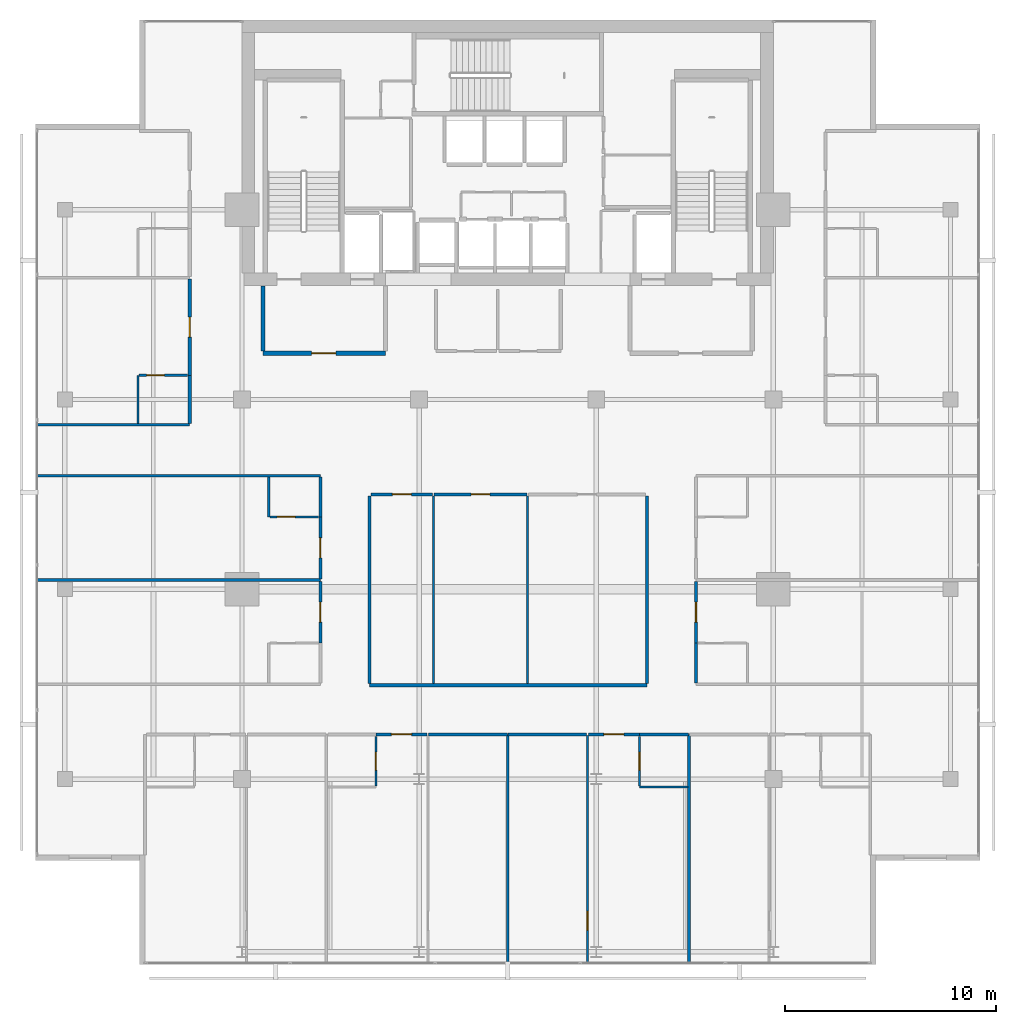
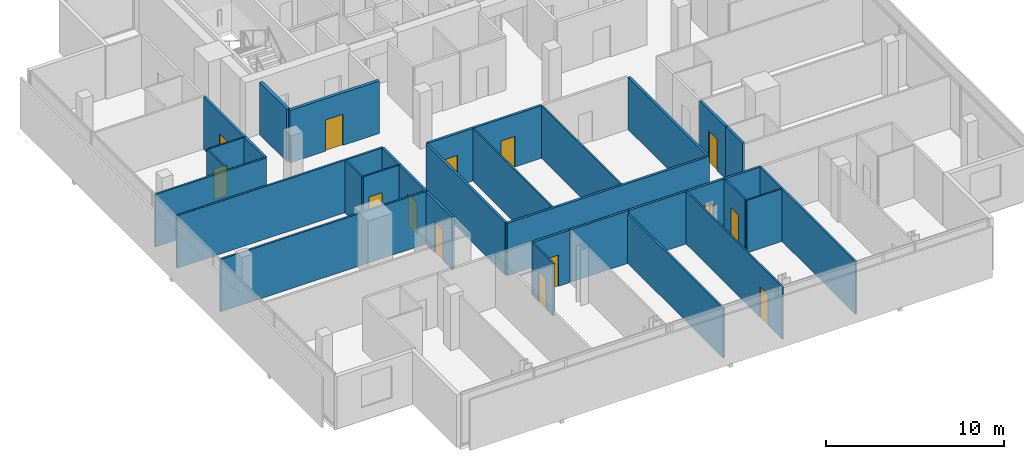
# One storey, part 20 of 26: 34 walls, 14 doors, 14 openings.
"""IFC4 building model written with IfcOpenShell, lengths in metres."""

from ifc_helpers import new_model, si_unit, direction, frame, frame_2d, origin, place, context, subcontext, project, spatial, rectangle, extrude, material, layer, layer_set, type_object, element, fill, save


model = new_model("IFC4")

# Units and contexts
model_context = context("Model", 3, precision=1e-05, world=origin(), true_north=direction((0.0, 1.0)))
body_context = subcontext(model_context, "Body", "Model", "MODEL_VIEW")
ifc_project = project(units=[si_unit("LENGTHUNIT", "METRE"), si_unit("AREAUNIT", "SQUARE_METRE"), si_unit("VOLUMEUNIT", "CUBIC_METRE"), si_unit("PLANEANGLEUNIT", "RADIAN"), si_unit("MASSUNIT", "GRAM", prefix="KILO")], contexts=[model_context])

# Site, building, storey
site_placement = place(None, origin())
site = spatial("IfcSite", under=ifc_project, at=site_placement, CompositionType="ELEMENT")
building_placement = place(site_placement, origin())
building = spatial("IfcBuilding", under=site, at=building_placement, Name="Maruvema Waterfront Hotel and Observation Tower", CompositionType="ELEMENT")
storey_placement = place(building_placement, frame((0.0, 0.0, 254.800048828125)))
storey = spatial("IfcBuildingStorey", under=building, at=storey_placement, Name="L62", CompositionType="ELEMENT", Elevation=254.800048828125)

# Walls
ifc_material_1 = material(Name="Twin-stud acoustic gypsum drywall", Category="gypsum")
ifc_layer_1 = layer(ifc_material_1, 0.14990234375, Name="Acoustic Corridor and Suite Demising Wall 150 mm")
ifc_layer_set_1 = layer_set([ifc_layer_1], Name="Twin-stud acoustic gypsum drywall")
wall_type_1 = type_object("IfcWallType", Name="Acoustic Corridor and Suite Demising Wall 150 mm", PredefinedType="PARTITIONING", material=ifc_layer_set_1)
wall_1_placement = place(storey_placement, frame((31.25, 22.449951171875, 0.0), z_axis=(0.0, 0.0, 1.0), x_axis=(1.0, 0.0, 0.0)))
element("IfcWall", 1, at=wall_1_placement, inside=storey, type_object=wall_type_1, Name="L62 L62-Z3M Back Wall 031", PredefinedType="PARTITIONING", context=body_context, shape_type="SweptSolid", body=[
    extrude(rectangle(XDim=13.14990234375, YDim=0.14990234375, at=frame_2d((6.574951171875, 0.0))), origin(), (0.0, 0.0, 1.0), 3.60986328125),
])
for number, where, z_axis, x_axis, name in (
    (2, (31.25, 22.530029296875, 0.0), (0.0, 0.0, 1.0), (0.0, 1.0, 0.0), "L62 L62-Z3M West Wall 032"),
    (3, (44.39990234375, 22.530029296875, 0.0), (0.0, 0.0, 1.0), (0.0, 1.0, 0.0), "L62 L62-Z3M East Wall 033"),
):
    element("IfcWall", number, at=place(storey_placement, frame(where, z_axis=z_axis, x_axis=x_axis)), inside=storey, type_object=wall_type_1, Name=name, PredefinedType="PARTITIONING", context=body_context, shape_type="SweptSolid", body=[
        extrude(rectangle(XDim=8.889892578125, YDim=0.14990234375, at=frame_2d((4.44482421875, 0.0))), origin(), (0.0, 0.0, 1.0), 3.60986328125),
    ])

# Wall, opening, door
wall_2_placement = place(storey_placement, frame((31.31005859375, 31.5, 0.0), z_axis=(0.0, 0.0, 1.0), x_axis=(1.0, 0.0, 0.0)))
wall_2 = element("IfcWall", 4, at=wall_2_placement, inside=storey, type_object=wall_type_1, Name="L62 L62-Z3M Front 1 034", PredefinedType="PARTITIONING", context=body_context, shape_type="SweptSolid", body=[
    extrude(rectangle(XDim=2.934326171875, YDim=0.14990234375, at=frame_2d((1.46728515625, 0.0))), origin(), (0.0, 0.0, 1.0), 3.60986328125),
])
opening_1_placement = place(wall_2_placement, frame((1.017333984375, 0.0, 0.0)))
opening_1 = element("IfcOpeningElement", 5, at=opening_1_placement, cuts=wall_2, Name="Opening DR-090", PredefinedType="OPENING", context=body_context, shape_type="SweptSolid", body=[
    extrude(rectangle(XDim=0.89990234375, YDim=2.10009765625, at=frame_2d((0.449951171875, 1.050048828125))), frame((0.0, 0.0849609375, 0.0), z_axis=(0.0, -1.0, 0.0), x_axis=(1.0, 0.0, 0.0)), (0.0, 0.0, 1.0), 0.169921875),
])
ifc_material_2 = material(Name="Solid-core lacquered timber leaf", Category="wood")
door_type_1 = type_object("IfcDoorType", Name="Accessible Toilet and Room Door 900x2100 mm", OperationType="NOTDEFINED", PredefinedType="DOOR", material=ifc_material_2)
door_1_placement = place(opening_1_placement, origin())
door_1 = element("IfcDoor", 6, at=door_1_placement, inside=storey, type_object=door_type_1, Name="L62 Sky Study Office 1 Door", OperationType="SINGLE_SWING_RIGHT", OverallHeight=2.10009765625, OverallWidth=0.89990234375, PredefinedType="DOOR", context=body_context, shape_type="SweptSolid", body=[
    extrude(rectangle(XDim=0.89990234375, YDim=2.10009765625, at=frame_2d((0.449951171875, 1.050048828125))), frame((0.0, 0.02490234375, 0.0), z_axis=(0.0, -1.0, 0.0), x_axis=(1.0, 0.0, 0.0)), (0.0, 0.0, 1.0), 0.050048828125),
])
fill(opening_1, door_1)

wall_3_placement = place(storey_placement, frame((34.304443359375, 31.5, 0.0), z_axis=(0.0, 0.0, 1.0), x_axis=(1.0, 0.0, 0.0)))
wall_3 = element("IfcWall", 7, at=wall_3_placement, inside=storey, type_object=wall_type_1, Name="L62 L62-Z3M Front 2 036", PredefinedType="PARTITIONING", context=body_context, shape_type="SweptSolid", body=[
    extrude(rectangle(XDim=4.4111328125, YDim=0.14990234375, at=frame_2d((2.20556640625, 0.0))), origin(), (0.0, 0.0, 1.0), 3.60986328125),
])
opening_2_placement = place(wall_3_placement, frame((1.755615234375, 0.0, 0.0)))
opening_2 = element("IfcOpeningElement", 8, at=opening_2_placement, cuts=wall_3, Name="Opening DR-090", PredefinedType="OPENING", context=body_context, shape_type="SweptSolid", body=[
    extrude(rectangle(XDim=0.89990234375, YDim=2.10009765625, at=frame_2d((0.449951171875, 1.050048828125))), frame((0.0, 0.0849609375, 0.0), z_axis=(0.0, -1.0, 0.0), x_axis=(1.0, 0.0, 0.0)), (0.0, 0.0, 1.0), 0.169921875),
])
door_2_placement = place(opening_2_placement, origin())
door_2 = element("IfcDoor", 9, at=door_2_placement, inside=storey, type_object=door_type_1, Name="L62 Sky Study Office 2 Door", OperationType="SINGLE_SWING_LEFT", OverallHeight=2.10009765625, OverallWidth=0.89990234375, PredefinedType="DOOR", context=body_context, shape_type="SweptSolid", body=[
    extrude(rectangle(XDim=0.89990234375, YDim=2.10009765625, at=frame_2d((0.449951171875, 1.050048828125))), frame((0.0, 0.02490234375, 0.0), z_axis=(0.0, -1.0, 0.0), x_axis=(1.0, 0.0, 0.0)), (0.0, 0.0, 1.0), 0.050048828125),
])
fill(opening_2, door_2)

wall_4_placement = place(storey_placement, frame((31.550048828125, 20.1201171875, 0.0), z_axis=(0.0, 0.0, 1.0), x_axis=(1.0, 0.0, 0.0)))
wall_4 = element("IfcWall", 10, at=wall_4_placement, inside=storey, type_object=wall_type_1, Name="L62 Unit L62-S2 Corridor Wall 051", PredefinedType="PARTITIONING", context=body_context, shape_type="SweptSolid", body=[
    extrude(rectangle(XDim=2.426025390625, YDim=0.14990234375, at=frame_2d((1.212890625, 0.0))), origin(), (0.0, 0.0, 1.0), 3.60986328125),
])
opening_3_placement = place(wall_4_placement, frame((0.738037109375, 0.0, 0.0)))
opening_3 = element("IfcOpeningElement", 11, at=opening_3_placement, cuts=wall_4, Name="Opening DR-095", PredefinedType="OPENING", context=body_context, shape_type="SweptSolid", body=[
    extrude(rectangle(XDim=0.949951171875, YDim=2.14990234375, at=frame_2d((0.47509765625, 1.074951171875))), frame((0.0, 0.0849609375, 0.0), z_axis=(0.0, -1.0, 0.0), x_axis=(1.0, 0.0, 0.0)), (0.0, 0.0, 1.0), 0.169921875),
])
ifc_material_3 = material(Name="Acoustic solid-core hardwood timber leaf", Category="wood")
door_type_2 = type_object("IfcDoorType", Name="Guestroom Entrance Fire Door 950x2150 mm", OperationType="NOTDEFINED", PredefinedType="DOOR", material=ifc_material_3)
door_3_placement = place(opening_3_placement, frame((0.949951171875, 0.0, 0.0), z_axis=(0.0, 0.0, 1.0), x_axis=(-1.0, 0.0, 0.0)))
door_3 = element("IfcDoor", 12, at=door_3_placement, inside=storey, type_object=door_type_2, Name="L62 Unit L62-S2 Entrance Door", OperationType="SINGLE_SWING_LEFT", OverallHeight=2.14990234375, OverallWidth=0.949951171875, PredefinedType="DOOR", context=body_context, shape_type="SweptSolid", body=[
    extrude(rectangle(XDim=0.949951171875, YDim=2.14990234375, at=frame_2d((0.47509765625, 1.074951171875))), frame((0.0, 0.02490234375, 0.0), z_axis=(0.0, -1.0, 0.0), x_axis=(1.0, 0.0, 0.0)), (0.0, 0.0, 1.0), 0.050048828125),
])
fill(opening_3, door_3)

# Walls
wall_5_placement = place(storey_placement, frame((34.055908203125, 20.1201171875, 0.0), z_axis=(0.0, 0.0, 1.0), x_axis=(1.0, 0.0, 0.0)))
element("IfcWall", 13, at=wall_5_placement, inside=storey, type_object=wall_type_1, Name="L62 Bedroom L62-S2 Back Wall 052", PredefinedType="PARTITIONING", context=body_context, shape_type="SweptSolid", body=[
    extrude(rectangle(XDim=3.72412109375, YDim=0.14990234375, at=frame_2d((1.862060546875, 0.0))), origin(), (0.0, 0.0, 1.0), 3.60986328125),
])
wall_6_placement = place(storey_placement, frame((44.050048828125, 20.1201171875, 0.0), z_axis=(0.0, 0.0, 1.0), x_axis=(1.0, 0.0, 0.0)))
element("IfcWall", 14, at=wall_6_placement, inside=storey, type_object=wall_type_1, Name="L62 Bath L62-S3 Back Wall 055", PredefinedType="PARTITIONING", context=body_context, shape_type="SweptSolid", body=[
    extrude(rectangle(XDim=2.329833984375, YDim=0.14990234375, at=frame_2d((1.1650390625, 0.0))), origin(), (0.0, 0.0, 1.0), 3.60986328125),
])
wall_7_placement = place(storey_placement, frame((37.820068359375, 20.1201171875, 0.0), z_axis=(0.0, 0.0, 1.0), x_axis=(1.0, 0.0, 0.0)))
element("IfcWall", 15, at=wall_7_placement, inside=storey, type_object=wall_type_1, Name="L62 Bedroom L62-S3 Back Wall 058", PredefinedType="PARTITIONING", context=body_context, shape_type="SweptSolid", body=[
    extrude(rectangle(XDim=3.723876953125, YDim=0.14990234375, at=frame_2d((1.86181640625, 0.0))), origin(), (0.0, 0.0, 1.0), 3.60986328125),
])

# Wall, opening, door
wall_8_placement = place(storey_placement, frame((41.6240234375, 20.1201171875, 0.0), z_axis=(0.0, 0.0, 1.0), x_axis=(1.0, 0.0, 0.0)))
wall_8 = element("IfcWall", 16, at=wall_8_placement, inside=storey, type_object=wall_type_1, Name="L62 Unit L62-S3 Corridor Wall 059", PredefinedType="PARTITIONING", context=body_context, shape_type="SweptSolid", body=[
    extrude(rectangle(XDim=2.426025390625, YDim=0.14990234375, at=frame_2d((1.212890625, 0.0))), origin(), (0.0, 0.0, 1.0), 3.60986328125),
])
opening_4_placement = place(wall_8_placement, frame((0.738037109375, 0.0, 0.0)))
opening_4 = element("IfcOpeningElement", 17, at=opening_4_placement, cuts=wall_8, Name="Opening DR-095", PredefinedType="OPENING", context=body_context, shape_type="SweptSolid", body=[
    extrude(rectangle(XDim=0.949951171875, YDim=2.14990234375, at=frame_2d((0.47509765625, 1.074951171875))), frame((0.0, 0.0849609375, 0.0), z_axis=(0.0, -1.0, 0.0), x_axis=(1.0, 0.0, 0.0)), (0.0, 0.0, 1.0), 0.169921875),
])
door_4_placement = place(opening_4_placement, frame((0.949951171875, 0.0, 0.0), z_axis=(0.0, 0.0, 1.0), x_axis=(-1.0, 0.0, 0.0)))
door_4 = element("IfcDoor", 18, at=door_4_placement, inside=storey, type_object=door_type_2, Name="L62 Unit L62-S3 Entrance Door", OperationType="SINGLE_SWING_RIGHT", OverallHeight=2.14990234375, OverallWidth=0.949951171875, PredefinedType="DOOR", context=body_context, shape_type="SweptSolid", body=[
    extrude(rectangle(XDim=0.949951171875, YDim=2.14990234375, at=frame_2d((0.47509765625, 1.074951171875))), frame((0.0, 0.02490234375, 0.0), z_axis=(0.0, -1.0, 0.0), x_axis=(1.0, 0.0, 0.0)), (0.0, 0.0, 1.0), 0.050048828125),
])
fill(opening_4, door_4)

wall_9_placement = place(storey_placement, frame((28.919921875, 24.449951171875, 0.0), z_axis=(0.0, 0.0, 1.0), x_axis=(0.0, 1.0, 0.0)))
wall_9 = element("IfcWall", 19, at=wall_9_placement, inside=storey, type_object=wall_type_1, Name="L62 Room L62-W1 Corridor Wall 073", PredefinedType="PARTITIONING", context=body_context, shape_type="SweptSolid", body=[
    extrude(rectangle(XDim=2.929931640625, YDim=0.14990234375, at=frame_2d((1.46484375, 0.0))), origin(), (0.0, 0.0, 1.0), 3.60986328125),
])
opening_5_placement = place(wall_9_placement, frame((0.989990234375, 0.0, 0.0)))
opening_5 = element("IfcOpeningElement", 20, at=opening_5_placement, cuts=wall_9, Name="Opening DR-095", PredefinedType="OPENING", context=body_context, shape_type="SweptSolid", body=[
    extrude(rectangle(XDim=0.949951171875, YDim=2.14990234375, at=frame_2d((0.47509765625, 1.074951171875))), frame((0.0, 0.0849609375, 0.0), z_axis=(0.0, -1.0, 0.0), x_axis=(1.0, 0.0, 0.0)), (0.0, 0.0, 1.0), 0.169921875),
])
door_5_placement = place(opening_5_placement, origin())
door_5 = element("IfcDoor", 21, at=door_5_placement, inside=storey, type_object=door_type_2, Name="L62 Room L62-W1 Entrance Door", OperationType="SINGLE_SWING_RIGHT", OverallHeight=2.14990234375, OverallWidth=0.949951171875, PredefinedType="DOOR", context=body_context, shape_type="SweptSolid", body=[
    extrude(rectangle(XDim=0.949951171875, YDim=2.14990234375, at=frame_2d((0.47509765625, 1.074951171875))), frame((0.0, 0.02490234375, 0.0), z_axis=(0.0, -1.0, 0.0), x_axis=(1.0, 0.0, 0.0)), (0.0, 0.0, 1.0), 0.050048828125),
])
fill(opening_5, door_5)

# Wall
wall_10_placement = place(storey_placement, frame((46.72998046875, 22.56005859375, 0.0), z_axis=(0.0, 0.0, 1.0), x_axis=(0.0, 1.0, 0.0)))
element("IfcWall", 22, at=wall_10_placement, inside=storey, type_object=wall_type_1, Name="L62 Bath L62-E1 Wall 076", PredefinedType="PARTITIONING", context=body_context, shape_type="SweptSolid", body=[
    extrude(rectangle(XDim=1.889892578125, YDim=0.14990234375, at=frame_2d((0.94482421875, 0.0))), origin(), (0.0, 0.0, 1.0), 3.60986328125),
])

# Wall, opening, door
wall_11_placement = place(storey_placement, frame((46.72998046875, 24.449951171875, 0.0), z_axis=(0.0, 0.0, 1.0), x_axis=(0.0, 1.0, 0.0)))
wall_11 = element("IfcWall", 23, at=wall_11_placement, inside=storey, type_object=wall_type_1, Name="L62 Room L62-E1 Corridor Wall 077", PredefinedType="PARTITIONING", context=body_context, shape_type="SweptSolid", body=[
    extrude(rectangle(XDim=2.929931640625, YDim=0.14990234375, at=frame_2d((1.46484375, 0.0))), origin(), (0.0, 0.0, 1.0), 3.60986328125),
])
opening_6_placement = place(wall_11_placement, frame((0.989990234375, 0.0, 0.0)))
opening_6 = element("IfcOpeningElement", 24, at=opening_6_placement, cuts=wall_11, Name="Opening DR-095", PredefinedType="OPENING", context=body_context, shape_type="SweptSolid", body=[
    extrude(rectangle(XDim=0.949951171875, YDim=2.14990234375, at=frame_2d((0.47509765625, 1.074951171875))), frame((0.0, 0.0849609375, 0.0), z_axis=(0.0, -1.0, 0.0), x_axis=(1.0, 0.0, 0.0)), (0.0, 0.0, 1.0), 0.169921875),
])
door_6_placement = place(opening_6_placement, frame((0.949951171875, 0.0, 0.0), z_axis=(0.0, 0.0, 1.0), x_axis=(-1.0, 0.0, 0.0)))
door_6 = element("IfcDoor", 25, at=door_6_placement, inside=storey, type_object=door_type_2, Name="L62 Room L62-E1 Entrance Door", OperationType="SINGLE_SWING_RIGHT", OverallHeight=2.14990234375, OverallWidth=0.949951171875, PredefinedType="DOOR", context=body_context, shape_type="SweptSolid", body=[
    extrude(rectangle(XDim=0.949951171875, YDim=2.14990234375, at=frame_2d((0.47509765625, 1.074951171875))), frame((0.0, 0.02490234375, 0.0), z_axis=(0.0, -1.0, 0.0), x_axis=(1.0, 0.0, 0.0)), (0.0, 0.0, 1.0), 0.050048828125),
])
fill(opening_6, door_6)

wall_12_placement = place(storey_placement, frame((28.919921875, 27.5, 0.0), z_axis=(0.0, 0.0, 1.0), x_axis=(0.0, 1.0, 0.0)))
wall_12 = element("IfcWall", 26, at=wall_12_placement, inside=storey, type_object=wall_type_1, Name="L62 Room L62-W2 Corridor Wall 082", PredefinedType="PARTITIONING", context=body_context, shape_type="SweptSolid", body=[
    extrude(rectangle(XDim=2.929931640625, YDim=0.14990234375, at=frame_2d((1.46484375, 0.0))), origin(), (0.0, 0.0, 1.0), 3.60986328125),
])
opening_7_placement = place(wall_12_placement, frame((0.989990234375, 0.0, 0.0)))
opening_7 = element("IfcOpeningElement", 27, at=opening_7_placement, cuts=wall_12, Name="Opening DR-095", PredefinedType="OPENING", context=body_context, shape_type="SweptSolid", body=[
    extrude(rectangle(XDim=0.949951171875, YDim=2.14990234375, at=frame_2d((0.47509765625, 1.074951171875))), frame((0.0, 0.0849609375, 0.0), z_axis=(0.0, -1.0, 0.0), x_axis=(1.0, 0.0, 0.0)), (0.0, 0.0, 1.0), 0.169921875),
])
door_7_placement = place(opening_7_placement, origin())
door_7 = element("IfcDoor", 28, at=door_7_placement, inside=storey, type_object=door_type_2, Name="L62 Room L62-W2 Entrance Door", OperationType="SINGLE_SWING_RIGHT", OverallHeight=2.14990234375, OverallWidth=0.949951171875, PredefinedType="DOOR", context=body_context, shape_type="SweptSolid", body=[
    extrude(rectangle(XDim=0.949951171875, YDim=2.14990234375, at=frame_2d((0.47509765625, 1.074951171875))), frame((0.0, 0.02490234375, 0.0), z_axis=(0.0, -1.0, 0.0), x_axis=(1.0, 0.0, 0.0)), (0.0, 0.0, 1.0), 0.050048828125),
])
fill(opening_7, door_7)

# Walls
wall_13_placement = place(storey_placement, frame((28.919921875, 30.429931640625, 0.0), z_axis=(0.0, 0.0, 1.0), x_axis=(0.0, 1.0, 0.0)))
element("IfcWall", 29, at=wall_13_placement, inside=storey, type_object=wall_type_1, Name="L62 Bath L62-W2 Wall 083", PredefinedType="PARTITIONING", context=body_context, shape_type="SweptSolid", body=[
    extrude(rectangle(XDim=1.89013671875, YDim=0.14990234375, at=frame_2d((0.945068359375, 0.0))), origin(), (0.0, 0.0, 1.0), 3.60986328125),
])
wall_14_placement = place(storey_placement, frame((22.719970703125, 34.860107421875, 0.0), z_axis=(0.0, 0.0, 1.0), x_axis=(0.0, 1.0, 0.0)))
element("IfcWall", 30, at=wall_14_placement, inside=storey, type_object=wall_type_1, Name="L62 Bath L62-NW1 Wall 094", PredefinedType="PARTITIONING", context=body_context, shape_type="SweptSolid", body=[
    extrude(rectangle(XDim=2.289794921875, YDim=0.14990234375, at=frame_2d((1.14501953125, 0.0))), origin(), (0.0, 0.0, 1.0), 3.60986328125),
])

# Wall, opening, door
wall_15_placement = place(storey_placement, frame((22.719970703125, 37.14990234375, 0.0), z_axis=(0.0, 0.0, 1.0), x_axis=(0.0, 1.0, 0.0)))
wall_15 = element("IfcWall", 31, at=wall_15_placement, inside=storey, type_object=wall_type_1, Name="L62 Room L62-NW1 Corridor Wall 095", PredefinedType="PARTITIONING", context=body_context, shape_type="SweptSolid", body=[
    extrude(rectangle(XDim=4.558837890625, YDim=0.14990234375, at=frame_2d((2.279296875, 0.0))), origin(), (0.0, 0.0, 1.0), 3.60986328125),
])
opening_8_placement = place(wall_15_placement, frame((1.804443359375, 0.0, 0.0)))
opening_8 = element("IfcOpeningElement", 32, at=opening_8_placement, cuts=wall_15, Name="Opening DR-095", PredefinedType="OPENING", context=body_context, shape_type="SweptSolid", body=[
    extrude(rectangle(XDim=0.949951171875, YDim=2.14990234375, at=frame_2d((0.47509765625, 1.074951171875))), frame((0.0, 0.0849609375, 0.0), z_axis=(0.0, -1.0, 0.0), x_axis=(1.0, 0.0, 0.0)), (0.0, 0.0, 1.0), 0.169921875),
])
door_8_placement = place(opening_8_placement, origin())
door_8 = element("IfcDoor", 33, at=door_8_placement, inside=storey, type_object=door_type_2, Name="L62 Room L62-NW1 Entrance Door", OperationType="SINGLE_SWING_RIGHT", OverallHeight=2.14990234375, OverallWidth=0.949951171875, PredefinedType="DOOR", context=body_context, shape_type="SweptSolid", body=[
    extrude(rectangle(XDim=0.949951171875, YDim=2.14990234375, at=frame_2d((0.47509765625, 1.074951171875))), frame((0.0, 0.02490234375, 0.0), z_axis=(0.0, -1.0, 0.0), x_axis=(1.0, 0.0, 0.0)), (0.0, 0.0, 1.0), 0.050048828125),
])
fill(opening_8, door_8)

# Walls
ifc_material_4 = material(Name="Moisture-resistant cement-board drywall", Category="gypsum")
ifc_layer_2 = layer(ifc_material_4, 0.10009765625, Name="En-Suite Moisture-Resistant Partition 100 mm")
ifc_layer_set_2 = layer_set([ifc_layer_2], Name="Moisture-resistant cement-board drywall")
wall_type_2 = type_object("IfcWallType", Name="En-Suite Moisture-Resistant Partition 100 mm", PredefinedType="PARTITIONING", material=ifc_layer_set_2)
for number, where, z_axis, x_axis, name in (
    (34, (34.2744140625, 22.530029296875, 0.0), (0.0, 0.0, 1.0), (0.0, 1.0, 0.0), "L62 L62-Z3M Split 1 035"),
    (35, (38.74560546875, 22.530029296875, 0.0), (0.0, 0.0, 1.0), (0.0, 1.0, 0.0), "L62 L62-Z3M Split 2 037"),
):
    element("IfcWall", number, at=place(storey_placement, frame(where, z_axis=z_axis, x_axis=x_axis)), inside=storey, type_object=wall_type_2, Name=name, PredefinedType="PARTITIONING", context=body_context, shape_type="SweptSolid", body=[
        extrude(rectangle(XDim=8.889892578125, YDim=0.10009765625, at=frame_2d((4.44482421875, 0.0))), origin(), (0.0, 0.0, 1.0), 3.60986328125),
    ])

# Wall, opening, door
wall_16_placement = place(storey_placement, frame((31.550048828125, 17.679931640625, 0.0), z_axis=(0.0, 0.0, 1.0), x_axis=(0.0, 1.0, 0.0)))
wall_16 = element("IfcWall", 36, at=wall_16_placement, inside=storey, type_object=wall_type_2, Name="L62 En-Suite L62-S2 East 050", PredefinedType="PARTITIONING", context=body_context, shape_type="SweptSolid", body=[
    extrude(rectangle(XDim=2.340087890625, YDim=0.10009765625, at=frame_2d((1.169921875, 0.0))), origin(), (0.0, 0.0, 1.0), 3.60986328125),
])
opening_9_placement = place(wall_16_placement, frame((0.7451171875, 0.0, 0.0)))
opening_9 = element("IfcOpeningElement", 37, at=opening_9_placement, cuts=wall_16, Name="Opening DR-085", PredefinedType="OPENING", context=body_context, shape_type="SweptSolid", body=[
    extrude(rectangle(XDim=0.85009765625, YDim=2.10009765625, at=frame_2d((0.425048828125, 1.050048828125))), frame((0.0, 0.06005859375, 0.0), z_axis=(0.0, -1.0, 0.0), x_axis=(1.0, 0.0, 0.0)), (0.0, 0.0, 1.0), 0.1201171875),
])
ifc_material_5 = material(Name="Moisture-resistant solid timber leaf", Category="wood")
door_type_3 = type_object("IfcDoorType", Name="En-Suite Bathroom Door 850x2100 mm", OperationType="NOTDEFINED", PredefinedType="DOOR", material=ifc_material_5)
door_9_placement = place(opening_9_placement, frame((0.85009765625, 0.0, 0.0), z_axis=(0.0, 0.0, 1.0), x_axis=(-1.0, 0.0, 0.0)))
door_9 = element("IfcDoor", 38, at=door_9_placement, inside=storey, type_object=door_type_3, Name="L62 En-Suite L62-S2 Door", OperationType="SINGLE_SWING_RIGHT", OverallHeight=2.10009765625, OverallWidth=0.85009765625, PredefinedType="DOOR", context=body_context, shape_type="SweptSolid", body=[
    extrude(rectangle(XDim=0.85009765625, YDim=2.10009765625, at=frame_2d((0.425048828125, 1.050048828125))), frame((0.0, 0.02490234375, 0.0), z_axis=(0.0, -1.0, 0.0), x_axis=(1.0, 0.0, 0.0)), (0.0, 0.0, 1.0), 0.050048828125),
])
fill(opening_9, door_9)

# Wall
wall_17_placement = place(storey_placement, frame((44.050048828125, 17.6201171875, 0.0), z_axis=(0.0, 0.0, 1.0), x_axis=(1.0, 0.0, 0.0)))
element("IfcWall", 39, at=wall_17_placement, inside=storey, type_object=wall_type_2, Name="L62 En-Suite L62-S3 South 056", PredefinedType="PARTITIONING", context=body_context, shape_type="SweptSolid", body=[
    extrude(rectangle(XDim=2.31005859375, YDim=0.10009765625, at=frame_2d((1.155029296875, 0.0))), origin(), (0.0, 0.0, 1.0), 3.60986328125),
])

# Wall, opening, door
wall_18_placement = place(storey_placement, frame((44.050048828125, 17.679931640625, 0.0), z_axis=(0.0, 0.0, 1.0), x_axis=(0.0, 1.0, 0.0)))
wall_18 = element("IfcWall", 40, at=wall_18_placement, inside=storey, type_object=wall_type_2, Name="L62 En-Suite L62-S3 West 057", PredefinedType="PARTITIONING", context=body_context, shape_type="SweptSolid", body=[
    extrude(rectangle(XDim=2.340087890625, YDim=0.10009765625, at=frame_2d((1.169921875, 0.0))), origin(), (0.0, 0.0, 1.0), 3.60986328125),
])
opening_10_placement = place(wall_18_placement, frame((0.7451171875, 0.0, 0.0)))
opening_10 = element("IfcOpeningElement", 41, at=opening_10_placement, cuts=wall_18, Name="Opening DR-085", PredefinedType="OPENING", context=body_context, shape_type="SweptSolid", body=[
    extrude(rectangle(XDim=0.85009765625, YDim=2.10009765625, at=frame_2d((0.425048828125, 1.050048828125))), frame((0.0, 0.06005859375, 0.0), z_axis=(0.0, -1.0, 0.0), x_axis=(1.0, 0.0, 0.0)), (0.0, 0.0, 1.0), 0.1201171875),
])
door_10_placement = place(opening_10_placement, origin())
door_10 = element("IfcDoor", 42, at=door_10_placement, inside=storey, type_object=door_type_3, Name="L62 En-Suite L62-S3 Door", OperationType="SINGLE_SWING_LEFT", OverallHeight=2.10009765625, OverallWidth=0.85009765625, PredefinedType="DOOR", context=body_context, shape_type="SweptSolid", body=[
    extrude(rectangle(XDim=0.85009765625, YDim=2.10009765625, at=frame_2d((0.425048828125, 1.050048828125))), frame((0.0, 0.02490234375, 0.0), z_axis=(0.0, -1.0, 0.0), x_axis=(1.0, 0.0, 0.0)), (0.0, 0.0, 1.0), 0.050048828125),
])
fill(opening_10, door_10)

wall_19_placement = place(storey_placement, frame((41.583984375, 9.22998046875, 0.0), z_axis=(0.0, 0.0, 1.0), x_axis=(0.0, 1.0, 0.0)))
wall_19 = element("IfcWall", 43, at=wall_19_placement, inside=storey, type_object=wall_type_2, Name="L62 Suite L62-S3 Split 060", PredefinedType="PARTITIONING", context=body_context, shape_type="SweptSolid", body=[
    extrude(rectangle(XDim=10.830078125, YDim=0.10009765625, at=frame_2d((5.4150390625, 0.0))), origin(), (0.0, 0.0, 1.0), 3.60986328125),
])
opening_11_placement = place(wall_19_placement, frame((1.60009765625, 0.0, 0.0)))
opening_11 = element("IfcOpeningElement", 44, at=opening_11_placement, cuts=wall_19, Name="Opening DR-090", PredefinedType="OPENING", context=body_context, shape_type="SweptSolid", body=[
    extrude(rectangle(XDim=0.89990234375, YDim=2.10009765625, at=frame_2d((0.449951171875, 1.050048828125))), frame((0.0, 0.06005859375, 0.0), z_axis=(0.0, -1.0, 0.0), x_axis=(1.0, 0.0, 0.0)), (0.0, 0.0, 1.0), 0.1201171875),
])
door_11_placement = place(opening_11_placement, frame((0.89990234375, 0.0, 0.0), z_axis=(0.0, 0.0, 1.0), x_axis=(-1.0, 0.0, 0.0)))
door_11 = element("IfcDoor", 45, at=door_11_placement, inside=storey, type_object=door_type_1, Name="L62 Suite L62-S3 Bedroom Door", OperationType="SINGLE_SWING_LEFT", OverallHeight=2.10009765625, OverallWidth=0.89990234375, PredefinedType="DOOR", context=body_context, shape_type="SweptSolid", body=[
    extrude(rectangle(XDim=0.89990234375, YDim=2.10009765625, at=frame_2d((0.449951171875, 1.050048828125))), frame((0.0, 0.02490234375, 0.0), z_axis=(0.0, -1.0, 0.0), x_axis=(1.0, 0.0, 0.0)), (0.0, 0.0, 1.0), 0.050048828125),
])
fill(opening_11, door_11)

# Wall
wall_20_placement = place(storey_placement, frame((26.469970703125, 30.429931640625, 0.0), z_axis=(0.0, 0.0, 1.0), x_axis=(0.0, 1.0, 0.0)))
element("IfcWall", 46, at=wall_20_placement, inside=storey, type_object=wall_type_2, Name="L62 En-Suite L62-W2 W 084", PredefinedType="PARTITIONING", context=body_context, shape_type="SweptSolid", body=[
    extrude(rectangle(XDim=1.89013671875, YDim=0.10009765625, at=frame_2d((0.945068359375, 0.0))), origin(), (0.0, 0.0, 1.0), 3.60986328125),
])

# Wall, opening, door
wall_21_placement = place(storey_placement, frame((26.52001953125, 30.429931640625, 0.0), z_axis=(0.0, 0.0, 1.0), x_axis=(1.0, 0.0, 0.0)))
wall_21 = element("IfcWall", 47, at=wall_21_placement, inside=storey, type_object=wall_type_2, Name="L62 En-Suite L62-W2 S 085", PredefinedType="PARTITIONING", context=body_context, shape_type="SweptSolid", body=[
    extrude(rectangle(XDim=2.300048828125, YDim=0.10009765625, at=frame_2d((1.14990234375, 0.0))), origin(), (0.0, 0.0, 1.0), 3.60986328125),
])
opening_12_placement = place(wall_21_placement, frame((0.35009765625, 0.0, 0.0)))
opening_12 = element("IfcOpeningElement", 48, at=opening_12_placement, cuts=wall_21, Name="Opening DR-085", PredefinedType="OPENING", context=body_context, shape_type="SweptSolid", body=[
    extrude(rectangle(XDim=0.85009765625, YDim=2.10009765625, at=frame_2d((0.425048828125, 1.050048828125))), frame((0.0, 0.06005859375, 0.0), z_axis=(0.0, -1.0, 0.0), x_axis=(1.0, 0.0, 0.0)), (0.0, 0.0, 1.0), 0.1201171875),
])
door_12_placement = place(opening_12_placement, frame((0.85009765625, 0.0, 0.0), z_axis=(0.0, 0.0, 1.0), x_axis=(-1.0, 0.0, 0.0)))
door_12 = element("IfcDoor", 49, at=door_12_placement, inside=storey, type_object=door_type_3, Name="L62 En-Suite L62-W2 Door", OperationType="SINGLE_SWING_LEFT", OverallHeight=2.10009765625, OverallWidth=0.85009765625, PredefinedType="DOOR", context=body_context, shape_type="SweptSolid", body=[
    extrude(rectangle(XDim=0.85009765625, YDim=2.10009765625, at=frame_2d((0.425048828125, 1.050048828125))), frame((0.0, 0.02490234375, 0.0), z_axis=(0.0, -1.0, 0.0), x_axis=(1.0, 0.0, 0.0)), (0.0, 0.0, 1.0), 0.050048828125),
])
fill(opening_12, door_12)

# Wall
wall_22_placement = place(storey_placement, frame((20.27001953125, 34.860107421875, 0.0), z_axis=(0.0, 0.0, 1.0), x_axis=(0.0, 1.0, 0.0)))
element("IfcWall", 50, at=wall_22_placement, inside=storey, type_object=wall_type_2, Name="L62 En-Suite L62-NW1 W 096", PredefinedType="PARTITIONING", context=body_context, shape_type="SweptSolid", body=[
    extrude(rectangle(XDim=2.289794921875, YDim=0.10009765625, at=frame_2d((1.14501953125, 0.0))), origin(), (0.0, 0.0, 1.0), 3.60986328125),
])

# Wall, opening, door
wall_23_placement = place(storey_placement, frame((20.320068359375, 37.14990234375, 0.0), z_axis=(0.0, 0.0, 1.0), x_axis=(1.0, 0.0, 0.0)))
wall_23 = element("IfcWall", 51, at=wall_23_placement, inside=storey, type_object=wall_type_2, Name="L62 En-Suite L62-NW1 N 097", PredefinedType="PARTITIONING", context=body_context, shape_type="SweptSolid", body=[
    extrude(rectangle(XDim=2.300048828125, YDim=0.10009765625, at=frame_2d((1.14990234375, 0.0))), origin(), (0.0, 0.0, 1.0), 3.60986328125),
])
opening_13_placement = place(wall_23_placement, frame((0.35009765625, 0.0, 0.0)))
opening_13 = element("IfcOpeningElement", 52, at=opening_13_placement, cuts=wall_23, Name="Opening DR-085", PredefinedType="OPENING", context=body_context, shape_type="SweptSolid", body=[
    extrude(rectangle(XDim=0.85009765625, YDim=2.10009765625, at=frame_2d((0.425048828125, 1.050048828125))), frame((0.0, 0.06005859375, 0.0), z_axis=(0.0, -1.0, 0.0), x_axis=(1.0, 0.0, 0.0)), (0.0, 0.0, 1.0), 0.1201171875),
])
door_13_placement = place(opening_13_placement, origin())
door_13 = element("IfcDoor", 53, at=door_13_placement, inside=storey, type_object=door_type_3, Name="L62 En-Suite L62-NW1 Door", OperationType="SINGLE_SWING_LEFT", OverallHeight=2.10009765625, OverallWidth=0.85009765625, PredefinedType="DOOR", context=body_context, shape_type="SweptSolid", body=[
    extrude(rectangle(XDim=0.85009765625, YDim=2.10009765625, at=frame_2d((0.425048828125, 1.050048828125))), frame((0.0, 0.02490234375, 0.0), z_axis=(0.0, -1.0, 0.0), x_axis=(1.0, 0.0, 0.0)), (0.0, 0.0, 1.0), 0.050048828125),
])
fill(opening_13, door_13)

ifc_material_6 = material(Name="Autoclaved cellular concrete blockwork", Category="masonry")
ifc_layer_3 = layer(ifc_material_6, 0.199951171875, Name="Fire Compartment Masonry Wall 200 mm")
ifc_layer_set_3 = layer_set([ifc_layer_3], Name="Autoclaved cellular concrete blockwork")
wall_type_3 = type_object("IfcWallType", Name="Fire Compartment Masonry Wall 200 mm", PredefinedType="PARTITIONING", material=ifc_layer_set_3)
wall_24_placement = place(storey_placement, frame((26.199951171875, 38.199951171875, 0.0), z_axis=(0.0, 0.0, 1.0), x_axis=(1.0, 0.0, 0.0)))
wall_24 = element("IfcWall", 54, at=wall_24_placement, inside=storey, type_object=wall_type_3, Name="L62 FFL West South Wall 001", PredefinedType="PARTITIONING", context=body_context, shape_type="SweptSolid", body=[
    extrude(rectangle(XDim=5.800048828125, YDim=0.199951171875, at=frame_2d((2.89990234375, 0.0))), origin(), (0.0, 0.0, 1.0), 3.60986328125),
])
opening_14_placement = place(wall_24_placement, frame((2.300048828125, 0.0, 0.0)))
opening_14 = element("IfcOpeningElement", 55, at=opening_14_placement, cuts=wall_24, Name="Opening FD-115", PredefinedType="OPENING", context=body_context, shape_type="SweptSolid", body=[
    extrude(rectangle(XDim=1.14990234375, YDim=2.14990234375, at=frame_2d((0.574951171875, 1.074951171875))), frame((0.0, 0.10986328125, 0.0), z_axis=(0.0, -1.0, 0.0), x_axis=(1.0, 0.0, 0.0)), (0.0, 0.0, 1.0), 0.219970703125),
])
ifc_material_7 = material(Name="Fire-rated galvanised steel and vision glass", Category="steel")
door_type_4 = type_object("IfcDoorType", Name="Firefighting Lobby Fire Door 1150x2150 mm", OperationType="NOTDEFINED", PredefinedType="DOOR", material=ifc_material_7)
door_14_placement = place(opening_14_placement, frame((1.14990234375, 0.0, 0.0), z_axis=(0.0, 0.0, 1.0), x_axis=(-1.0, 0.0, 0.0)))
door_14 = element("IfcDoor", 56, at=door_14_placement, inside=storey, type_object=door_type_4, Name="L62 Firefighting Lobby West Door", OperationType="SINGLE_SWING_RIGHT", OverallHeight=2.14990234375, OverallWidth=1.14990234375, PredefinedType="DOOR", context=body_context, shape_type="SweptSolid", body=[
    extrude(rectangle(XDim=1.14990234375, YDim=2.14990234375, at=frame_2d((0.574951171875, 1.074951171875))), frame((0.0, 0.02490234375, 0.0), z_axis=(0.0, -1.0, 0.0), x_axis=(1.0, 0.0, 0.0)), (0.0, 0.0, 1.0), 0.050048828125),
])
fill(opening_14, door_14)

# Walls
wall_25_placement = place(storey_placement, frame((26.199951171875, 38.31005859375, 0.0), z_axis=(0.0, 0.0, 1.0), x_axis=(0.0, 1.0, 0.0)))
element("IfcWall", 57, at=wall_25_placement, inside=storey, type_object=wall_type_3, Name="L62 FFL West West Wall 002", PredefinedType="PARTITIONING", context=body_context, shape_type="SweptSolid", body=[
    extrude(rectangle(XDim=3.06982421875, YDim=0.199951171875, at=frame_2d((1.534912109375, 0.0))), origin(), (0.0, 0.0, 1.0), 3.60986328125),
])
ifc_material_8 = material(Name="Acoustic gypsum plasterboard drywall", Category="gypsum")
ifc_layer_4 = layer(ifc_material_8, 0.125, Name="Guestroom Acoustic Demising Wall 125 mm")
ifc_layer_set_4 = layer_set([ifc_layer_4], Name="Acoustic gypsum plasterboard drywall")
wall_type_4 = type_object("IfcWallType", Name="Guestroom Acoustic Demising Wall 125 mm", PredefinedType="PARTITIONING", material=ifc_layer_set_4)
wall_26_placement = place(storey_placement, frame((37.800048828125, 9.300048828125, 0.0), z_axis=(0.0, 0.0, 1.0), x_axis=(0.0, 1.0, 0.0)))
element("IfcWall", 58, at=wall_26_placement, inside=storey, type_object=wall_type_4, Name="L62 Z3 S Demising 3 054", PredefinedType="PARTITIONING", context=body_context, shape_type="SweptSolid", body=[
    extrude(rectangle(XDim=10.820068359375, YDim=0.125, at=frame_2d((5.41015625, 0.0))), origin(), (0.0, 0.0, 1.0), 3.40283203125),
])
wall_27_placement = place(storey_placement, frame((46.39990234375, 9.300048828125, 0.0), z_axis=(0.0, 0.0, 1.0), x_axis=(0.0, 1.0, 0.0)))
element("IfcWall", 59, at=wall_27_placement, inside=storey, type_object=wall_type_4, Name="L62 Z3 S Demising 4 061", PredefinedType="PARTITIONING", context=body_context, shape_type="SweptSolid", body=[
    extrude(rectangle(XDim=10.820068359375, YDim=0.125, at=frame_2d((5.41015625, 0.0))), origin(), (0.0, 0.0, 1.0), 3.60986328125),
])
for number, where, z_axis, x_axis, name in (
    (60, (15.5, 32.3798828125, 0.0), (0.0, 0.0, 1.0), (1.0, 0.0, 0.0), "L62 Z3 W Top End 070"),
    (61, (15.5, 27.43994140625, 0.0), (0.0, 0.0, 1.0), (1.0, 0.0, 0.0), "L62 Z3 W Demising 2 080"),
):
    element("IfcWall", number, at=place(storey_placement, frame(where, z_axis=z_axis, x_axis=x_axis)), inside=storey, type_object=wall_type_4, Name=name, PredefinedType="PARTITIONING", context=body_context, shape_type="SweptSolid", body=[
        extrude(rectangle(XDim=13.419921875, YDim=0.125, at=frame_2d((6.7099609375, 0.0))), origin(), (0.0, 0.0, 1.0), 3.60986328125),
    ])
wall_28_placement = place(storey_placement, frame((15.5, 34.800048828125, 0.0), z_axis=(0.0, 0.0, 1.0), x_axis=(1.0, 0.0, 0.0)))
element("IfcWall", 62, at=wall_28_placement, inside=storey, type_object=wall_type_4, Name="L62 Z3 NW Bot End 090", PredefinedType="PARTITIONING", context=body_context, shape_type="SweptSolid", body=[
    extrude(rectangle(XDim=7.219970703125, YDim=0.125, at=frame_2d((3.60986328125, 0.0))), origin(), (0.0, 0.0, 1.0), 3.60986328125),
])

save(model, "model.ifc")
